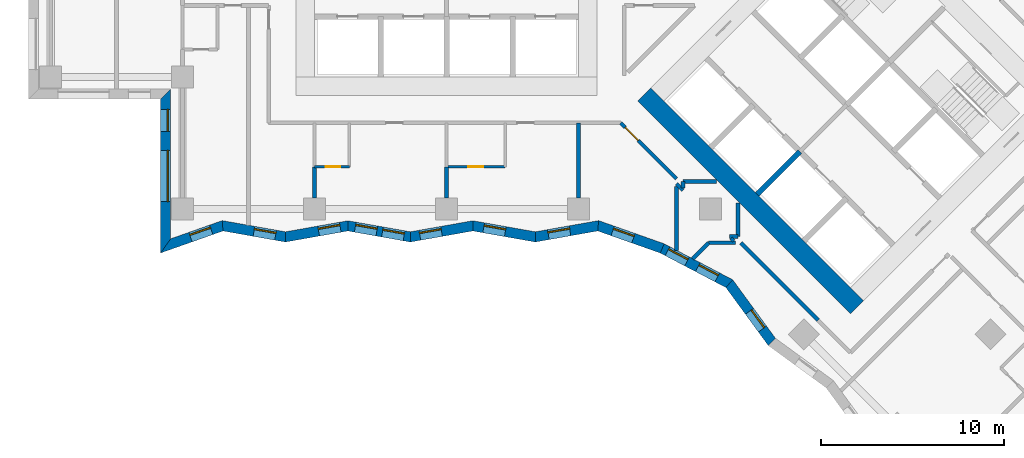
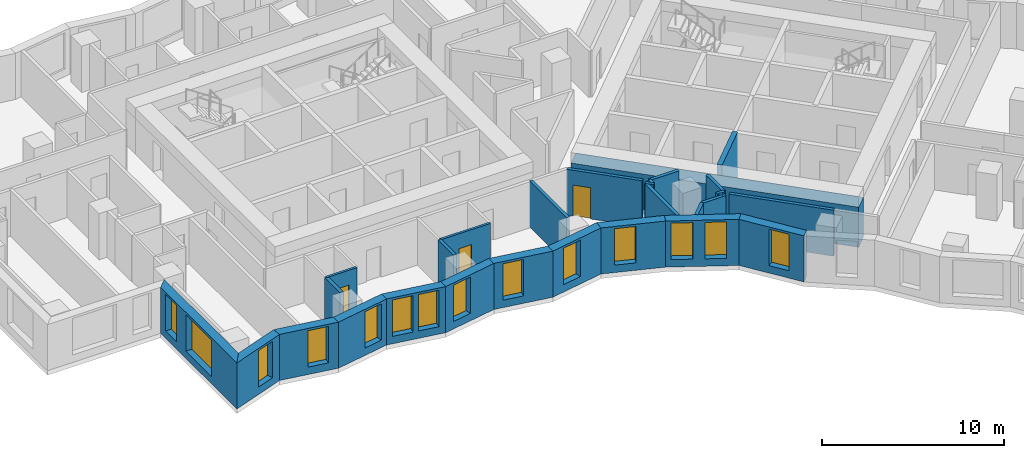
# One storey, part 2 of 12: 29 walls, 14 windows, 3 doors, 17 openings.
"""IFC4 building model written with IfcOpenShell, lengths in metres."""

from ifc_helpers import new_model, si_unit, direction, frame, frame_2d, origin, place, context, subcontext, project, spatial, polyline, rectangle, outline, extrude, material, layer, layer_set, type_object, element, fill, save


model = new_model("IFC4")

# Units and contexts
model_context = context("Model", 3, precision=1e-05, world=origin(), true_north=direction((0.0, 1.0)))
body_context = subcontext(model_context, "Body", "Model", "MODEL_VIEW")
ifc_project = project(units=[si_unit("LENGTHUNIT", "METRE"), si_unit("AREAUNIT", "SQUARE_METRE"), si_unit("VOLUMEUNIT", "CUBIC_METRE"), si_unit("PLANEANGLEUNIT", "RADIAN"), si_unit("MASSUNIT", "GRAM", prefix="KILO")], contexts=[model_context])

# Site, building, storey
site_placement = place(None, origin())
site = spatial("IfcSite", under=ifc_project, at=site_placement, CompositionType="ELEMENT")
building_placement = place(site_placement, origin())
building = spatial("IfcBuilding", under=site, at=building_placement, Name="Windrow Commons", CompositionType="ELEMENT")
storey_placement = place(building_placement, frame((0.0, 0.0, 61.0)))
storey = spatial("IfcBuildingStorey", under=building, at=storey_placement, Name="L16", CompositionType="ELEMENT", Elevation=61.0)

# Wall, openings, windows
ifc_material_1 = material(Name="Brick masonry, red clay brick", Category="masonry")
ifc_layer_1 = layer(ifc_material_1, 0.55)
ifc_layer_set_1 = layer_set([ifc_layer_1], Name="Brick facade wall 550")
wall_type_1 = type_object("IfcWallType", Name="Brick facade wall 550", PredefinedType="SOLIDWALL", material=ifc_layer_set_1)
wall_1_placement = place(storey_placement, frame((49.475, 49.475, 0.0), z_axis=(0.0, 0.0, 1.0), x_axis=(0.0, -1.0, 0.0)))
wall_1 = element("IfcWall", 1, at=wall_1_placement, inside=storey, type_object=wall_type_1, Name="Brick facade wall L16 45", PredefinedType="SOLIDWALL", context=body_context, shape_type="SweptSolid", body=[
    extrude(outline(polyline([(0.275, -0.275), (8.678, -0.275), (7.9005, 0.275), (-0.275, 0.275), (0.275, -0.275)])), origin(), (0.0, 0.0, 1.0), 3.1),
])
opening_1_placement = place(wall_1_placement, frame((3.075, 0.0, 0.5)))
opening_1 = element("IfcOpeningElement", 2, at=opening_1_placement, cuts=wall_1, Name="Opening W1T", PredefinedType="OPENING", context=body_context, shape_type="SweptSolid", body=[
    extrude(rectangle(XDim=2.8, YDim=2.45, at=frame_2d((1.4, 1.225))), frame((0.0, 0.285, 0.0), z_axis=(0.0, -1.0, 0.0), x_axis=(1.0, 0.0, 0.0)), (0.0, 0.0, 1.0), 0.57),
])
opening_2_placement = place(wall_1_placement, frame((0.8375, 0.0, 0.5)))
opening_2 = element("IfcOpeningElement", 3, at=opening_2_placement, cuts=wall_1, Name="Opening W7D", PredefinedType="OPENING", context=body_context, shape_type="SweptSolid", body=[
    extrude(rectangle(XDim=1.2, YDim=2.45, at=frame_2d((0.6, 1.225))), frame((0.0, 0.285, 0.0), z_axis=(0.0, -1.0, 0.0), x_axis=(1.0, 0.0, 0.0)), (0.0, 0.0, 1.0), 0.57),
])
ifc_material_2 = material(Name="Clear float glass in anodised aluminium frame", Category="aluminium")
window_type_1 = type_object("IfcWindowType", Name="Window W1T bedroom 2800x2450", PartitioningType="SINGLE_PANEL", PredefinedType="WINDOW", material=ifc_material_2)
window_1_placement = place(opening_1_placement, origin())
window_1 = element("IfcWindow", 4, at=window_1_placement, inside=storey, type_object=window_type_1, Name="Window L16 45.1", OverallHeight=2.45, OverallWidth=2.8, PartitioningType="SINGLE_PANEL", PredefinedType="WINDOW", context=body_context, shape_type="SweptSolid", body=[
    extrude(rectangle(XDim=2.8, YDim=2.45, at=frame_2d((1.4, 1.225))), frame((0.0, 0.155, 0.0), z_axis=(0.0, -1.0, 0.0), x_axis=(1.0, 0.0, 0.0)), (0.0, 0.0, 1.0), 0.06),
])
fill(opening_1, window_1)
ifc_material_3 = material(Name="Clear float glass in anodised aluminium frame", Category="aluminium")
window_type_2 = type_object("IfcWindowType", Name="Window W7 notch 1200x2450", PartitioningType="SINGLE_PANEL", PredefinedType="WINDOW", material=ifc_material_3)
window_2_placement = place(opening_2_placement, origin())
window_2 = element("IfcWindow", 5, at=window_2_placement, inside=storey, type_object=window_type_2, Name="Window L16 45.2", OverallHeight=2.45, OverallWidth=1.2, PartitioningType="SINGLE_PANEL", PredefinedType="WINDOW", context=body_context, shape_type="SweptSolid", body=[
    extrude(rectangle(XDim=1.2, YDim=2.45, at=frame_2d((0.6, 1.225))), frame((0.0, 0.155, 0.0), z_axis=(0.0, -1.0, 0.0), x_axis=(1.0, 0.0, 0.0)), (0.0, 0.0, 1.0), 0.06),
])
fill(opening_2, window_2)

# Wall, opening, window
wall_2_placement = place(storey_placement, frame((49.475, 41.1857, 0.0), z_axis=(0.0, 0.0, 1.0), x_axis=(0.9429483298, 0.3329391044, 0.0)))
wall_2 = element("IfcWall", 6, at=wall_2_placement, inside=storey, type_object=wall_type_1, Name="Brick facade wall L16 46", PredefinedType="SOLIDWALL", context=body_context, shape_type="SweptSolid", body=[
    extrude(outline(polyline([(-0.3887, -0.275), (3.2246, -0.275), (3.3693, 0.275), (0.3887, 0.275), (-0.3887, -0.275)])), origin(), (0.0, 0.0, 1.0), 3.1),
])
opening_3_placement = place(wall_2_placement, frame((1.439, 0.0, 0.5)))
opening_3 = element("IfcOpeningElement", 7, at=opening_3_placement, cuts=wall_2, Name="Opening W7D", PredefinedType="OPENING", context=body_context, shape_type="SweptSolid", body=[
    extrude(rectangle(XDim=1.2, YDim=2.45, at=frame_2d((0.6, 1.225))), frame((0.0, 0.285, 0.0), z_axis=(0.0, -1.0, 0.0), x_axis=(1.0, 0.0, 0.0)), (0.0, 0.0, 1.0), 0.57),
])
window_3_placement = place(opening_3_placement, origin())
window_3 = element("IfcWindow", 8, at=window_3_placement, inside=storey, type_object=window_type_2, Name="Window L16 46.1", OverallHeight=2.45, OverallWidth=1.2, PartitioningType="SINGLE_PANEL", PredefinedType="WINDOW", context=body_context, shape_type="SweptSolid", body=[
    extrude(rectangle(XDim=1.2, YDim=2.45, at=frame_2d((0.6, 1.225))), frame((0.0, 0.155, 0.0), z_axis=(0.0, -1.0, 0.0), x_axis=(1.0, 0.0, 0.0)), (0.0, 0.0, 1.0), 0.06),
])
fill(opening_3, window_3)

wall_3_placement = place(storey_placement, frame((52.5839, 42.2834, 0.0), z_axis=(0.0, 0.0, 1.0), x_axis=(0.9846990638, -0.1742634606, 0.0)))
wall_3 = element("IfcWall", 9, at=wall_3_placement, inside=storey, type_object=wall_type_1, Name="Brick facade wall L16 47", PredefinedType="SOLIDWALL", context=body_context, shape_type="SweptSolid", body=[
    extrude(outline(polyline([(0.0724, -0.275), (3.5325, -0.275), (3.4352, 0.275), (-0.0724, 0.275), (0.0724, -0.275)])), origin(), (0.0, 0.0, 1.0), 3.1),
])
opening_4_placement = place(wall_3_placement, frame((1.7367, 0.0, 0.5)))
opening_4 = element("IfcOpeningElement", 10, at=opening_4_placement, cuts=wall_3, Name="Opening W7D", PredefinedType="OPENING", context=body_context, shape_type="SweptSolid", body=[
    extrude(rectangle(XDim=1.2, YDim=2.45, at=frame_2d((0.6, 1.225))), frame((0.0, 0.285, 0.0), z_axis=(0.0, -1.0, 0.0), x_axis=(1.0, 0.0, 0.0)), (0.0, 0.0, 1.0), 0.57),
])
window_4_placement = place(opening_4_placement, origin())
window_4 = element("IfcWindow", 11, at=window_4_placement, inside=storey, type_object=window_type_2, Name="Window L16 47.1", OverallHeight=2.45, OverallWidth=1.2, PartitioningType="SINGLE_PANEL", PredefinedType="WINDOW", context=body_context, shape_type="SweptSolid", body=[
    extrude(rectangle(XDim=1.2, YDim=2.45, at=frame_2d((0.6, 1.225))), frame((0.0, 0.155, 0.0), z_axis=(0.0, -1.0, 0.0), x_axis=(1.0, 0.0, 0.0)), (0.0, 0.0, 1.0), 0.06),
])
fill(opening_4, window_4)

wall_4_placement = place(storey_placement, frame((56.0144, 41.6763, 0.0), z_axis=(0.0, 0.0, 1.0), x_axis=(0.9846979018, 0.1742700266, 0.0)))
wall_4 = element("IfcWall", 12, at=wall_4_placement, inside=storey, type_object=wall_type_1, Name="Brick facade wall L16 48", PredefinedType="SOLIDWALL", context=body_context, shape_type="SweptSolid", body=[
    extrude(outline(polyline([(-0.0487, -0.275), (3.4115, -0.275), (3.5088, 0.275), (0.0487, 0.275), (-0.0487, -0.275)])), origin(), (0.0, 0.0, 1.0), 3.1),
])
opening_5_placement = place(wall_4_placement, frame((1.8352, 0.0, 0.5)))
opening_5 = element("IfcOpeningElement", 13, at=opening_5_placement, cuts=wall_4, Name="Opening W7D", PredefinedType="OPENING", context=body_context, shape_type="SweptSolid", body=[
    extrude(rectangle(XDim=1.2, YDim=2.45, at=frame_2d((0.6, 1.225))), frame((0.0, 0.285, 0.0), z_axis=(0.0, -1.0, 0.0), x_axis=(1.0, 0.0, 0.0)), (0.0, 0.0, 1.0), 0.57),
])
window_5_placement = place(opening_5_placement, origin())
window_5 = element("IfcWindow", 14, at=window_5_placement, inside=storey, type_object=window_type_2, Name="Window L16 48.1", OverallHeight=2.45, OverallWidth=1.2, PartitioningType="SINGLE_PANEL", PredefinedType="WINDOW", context=body_context, shape_type="SweptSolid", body=[
    extrude(rectangle(XDim=1.2, YDim=2.45, at=frame_2d((0.6, 1.225))), frame((0.0, 0.155, 0.0), z_axis=(0.0, -1.0, 0.0), x_axis=(1.0, 0.0, 0.0)), (0.0, 0.0, 1.0), 0.06),
])
fill(opening_5, window_5)

# Wall, openings, windows
wall_5_placement = place(storey_placement, frame((59.4216, 42.2793, 0.0), z_axis=(0.0, 0.0, 1.0), x_axis=(0.9846979018, -0.1742700266, 0.0)))
wall_5 = element("IfcWall", 15, at=wall_5_placement, inside=storey, type_object=wall_type_1, Name="Brick facade wall L16 49", PredefinedType="SOLIDWALL", context=body_context, shape_type="SweptSolid", body=[
    extrude(outline(polyline([(0.0487, -0.275), (3.5088, -0.275), (3.4115, 0.275), (-0.0487, 0.275), (0.0487, -0.275)])), origin(), (0.0, 0.0, 1.0), 3.1),
])
opening_6_placement = place(wall_5_placement, frame((0.403, 0.0, 0.5)))
opening_6 = element("IfcOpeningElement", 16, at=opening_6_placement, cuts=wall_5, Name="Opening W7D", PredefinedType="OPENING", context=body_context, shape_type="SweptSolid", body=[
    extrude(rectangle(XDim=1.2, YDim=2.45, at=frame_2d((0.6, 1.225))), frame((0.0, 0.285, 0.0), z_axis=(0.0, -1.0, 0.0), x_axis=(1.0, 0.0, 0.0)), (0.0, 0.0, 1.0), 0.57),
])
opening_7_placement = place(wall_5_placement, frame((1.9088, 0.0, 0.5)))
opening_7 = element("IfcOpeningElement", 17, at=opening_7_placement, cuts=wall_5, Name="Opening W7D", PredefinedType="OPENING", context=body_context, shape_type="SweptSolid", body=[
    extrude(rectangle(XDim=1.2, YDim=2.45, at=frame_2d((0.6, 1.225))), frame((0.0, 0.285, 0.0), z_axis=(0.0, -1.0, 0.0), x_axis=(1.0, 0.0, 0.0)), (0.0, 0.0, 1.0), 0.57),
])
window_6_placement = place(opening_6_placement, origin())
window_6 = element("IfcWindow", 18, at=window_6_placement, inside=storey, type_object=window_type_2, Name="Window L16 49.1", OverallHeight=2.45, OverallWidth=1.2, PartitioningType="SINGLE_PANEL", PredefinedType="WINDOW", context=body_context, shape_type="SweptSolid", body=[
    extrude(rectangle(XDim=1.2, YDim=2.45, at=frame_2d((0.6, 1.225))), frame((0.0, 0.155, 0.0), z_axis=(0.0, -1.0, 0.0), x_axis=(1.0, 0.0, 0.0)), (0.0, 0.0, 1.0), 0.06),
])
fill(opening_6, window_6)
window_7_placement = place(opening_7_placement, origin())
window_7 = element("IfcWindow", 19, at=window_7_placement, inside=storey, type_object=window_type_2, Name="Window L16 49.2", OverallHeight=2.45, OverallWidth=1.2, PartitioningType="SINGLE_PANEL", PredefinedType="WINDOW", context=body_context, shape_type="SweptSolid", body=[
    extrude(rectangle(XDim=1.2, YDim=2.45, at=frame_2d((0.6, 1.225))), frame((0.0, 0.155, 0.0), z_axis=(0.0, -1.0, 0.0), x_axis=(1.0, 0.0, 0.0)), (0.0, 0.0, 1.0), 0.06),
])
fill(opening_7, window_7)

# Wall, opening, window
wall_6_placement = place(storey_placement, frame((62.8288, 41.6763, 0.0), z_axis=(0.0, 0.0, 1.0), x_axis=(0.9846979018, 0.1742700266, 0.0)))
wall_6 = element("IfcWall", 20, at=wall_6_placement, inside=storey, type_object=wall_type_1, Name="Brick facade wall L16 50", PredefinedType="SOLIDWALL", context=body_context, shape_type="SweptSolid", body=[
    extrude(outline(polyline([(-0.0487, -0.275), (3.4115, -0.275), (3.5088, 0.275), (0.0487, 0.275), (-0.0487, -0.275)])), origin(), (0.0, 0.0, 1.0), 3.1),
])
opening_8_placement = place(wall_6_placement, frame((0.5253, 0.0, 0.5)))
opening_8 = element("IfcOpeningElement", 21, at=opening_8_placement, cuts=wall_6, Name="Opening W7D", PredefinedType="OPENING", context=body_context, shape_type="SweptSolid", body=[
    extrude(rectangle(XDim=1.2, YDim=2.45, at=frame_2d((0.6, 1.225))), frame((0.0, 0.285, 0.0), z_axis=(0.0, -1.0, 0.0), x_axis=(1.0, 0.0, 0.0)), (0.0, 0.0, 1.0), 0.57),
])
window_8_placement = place(opening_8_placement, origin())
window_8 = element("IfcWindow", 22, at=window_8_placement, inside=storey, type_object=window_type_2, Name="Window L16 50.1", OverallHeight=2.45, OverallWidth=1.2, PartitioningType="SINGLE_PANEL", PredefinedType="WINDOW", context=body_context, shape_type="SweptSolid", body=[
    extrude(rectangle(XDim=1.2, YDim=2.45, at=frame_2d((0.6, 1.225))), frame((0.0, 0.155, 0.0), z_axis=(0.0, -1.0, 0.0), x_axis=(1.0, 0.0, 0.0)), (0.0, 0.0, 1.0), 0.06),
])
fill(opening_8, window_8)

wall_7_placement = place(storey_placement, frame((66.236, 42.2793, 0.0), z_axis=(0.0, 0.0, 1.0), x_axis=(0.9846979018, -0.1742700266, 0.0)))
wall_7 = element("IfcWall", 23, at=wall_7_placement, inside=storey, type_object=wall_type_1, Name="Brick facade wall L16 51", PredefinedType="SOLIDWALL", context=body_context, shape_type="SweptSolid", body=[
    extrude(outline(polyline([(0.0487, -0.275), (3.5088, -0.275), (3.4115, 0.275), (-0.0487, 0.275), (0.0487, -0.275)])), origin(), (0.0, 0.0, 1.0), 3.1),
])
opening_9_placement = place(wall_7_placement, frame((0.5988, 0.0, 0.5)))
opening_9 = element("IfcOpeningElement", 24, at=opening_9_placement, cuts=wall_7, Name="Opening W7D", PredefinedType="OPENING", context=body_context, shape_type="SweptSolid", body=[
    extrude(rectangle(XDim=1.2, YDim=2.45, at=frame_2d((0.6, 1.225))), frame((0.0, 0.285, 0.0), z_axis=(0.0, -1.0, 0.0), x_axis=(1.0, 0.0, 0.0)), (0.0, 0.0, 1.0), 0.57),
])
window_9_placement = place(opening_9_placement, origin())
window_9 = element("IfcWindow", 25, at=window_9_placement, inside=storey, type_object=window_type_2, Name="Window L16 51.1", OverallHeight=2.45, OverallWidth=1.2, PartitioningType="SINGLE_PANEL", PredefinedType="WINDOW", context=body_context, shape_type="SweptSolid", body=[
    extrude(rectangle(XDim=1.2, YDim=2.45, at=frame_2d((0.6, 1.225))), frame((0.0, 0.155, 0.0), z_axis=(0.0, -1.0, 0.0), x_axis=(1.0, 0.0, 0.0)), (0.0, 0.0, 1.0), 0.06),
])
fill(opening_9, window_9)

wall_8_placement = place(storey_placement, frame((69.6432, 41.6763, 0.0), z_axis=(0.0, 0.0, 1.0), x_axis=(0.9846990638, 0.1742634606, 0.0)))
wall_8 = element("IfcWall", 26, at=wall_8_placement, inside=storey, type_object=wall_type_1, Name="Brick facade wall L16 52", PredefinedType="SOLIDWALL", context=body_context, shape_type="SweptSolid", body=[
    extrude(outline(polyline([(-0.0487, -0.275), (3.4115, -0.275), (3.5562, 0.275), (0.0487, 0.275), (-0.0487, -0.275)])), origin(), (0.0, 0.0, 1.0), 3.1),
])
opening_10_placement = place(wall_8_placement, frame((0.721, 0.0, 0.5)))
opening_10 = element("IfcOpeningElement", 27, at=opening_10_placement, cuts=wall_8, Name="Opening W7D", PredefinedType="OPENING", context=body_context, shape_type="SweptSolid", body=[
    extrude(rectangle(XDim=1.2, YDim=2.45, at=frame_2d((0.6, 1.225))), frame((0.0, 0.285, 0.0), z_axis=(0.0, -1.0, 0.0), x_axis=(1.0, 0.0, 0.0)), (0.0, 0.0, 1.0), 0.57),
])
window_10_placement = place(opening_10_placement, origin())
window_10 = element("IfcWindow", 28, at=window_10_placement, inside=storey, type_object=window_type_2, Name="Window L16 52.1", OverallHeight=2.45, OverallWidth=1.2, PartitioningType="SINGLE_PANEL", PredefinedType="WINDOW", context=body_context, shape_type="SweptSolid", body=[
    extrude(rectangle(XDim=1.2, YDim=2.45, at=frame_2d((0.6, 1.225))), frame((0.0, 0.155, 0.0), z_axis=(0.0, -1.0, 0.0), x_axis=(1.0, 0.0, 0.0)), (0.0, 0.0, 1.0), 0.06),
])
fill(opening_10, window_10)

wall_9_placement = place(storey_placement, frame((73.0737, 42.2834, 0.0), z_axis=(0.0, 0.0, 1.0), x_axis=(0.9429519654, -0.3329288077, 0.0)))
wall_9 = element("IfcWall", 29, at=wall_9_placement, inside=storey, type_object=wall_type_1, Name="Brick facade wall L16 53", PredefinedType="SOLIDWALL", context=body_context, shape_type="SweptSolid", body=[
    extrude(outline(polyline([(0.0724, -0.275), (3.6857, -0.275), (3.7255, 0.275), (-0.0724, 0.275), (0.0724, -0.275)])), origin(), (0.0, 0.0, 1.0), 3.1),
])
opening_11_placement = place(wall_9_placement, frame((0.8396, 0.0, 0.5)))
opening_11 = element("IfcOpeningElement", 30, at=opening_11_placement, cuts=wall_9, Name="Opening W7D", PredefinedType="OPENING", context=body_context, shape_type="SweptSolid", body=[
    extrude(rectangle(XDim=1.2, YDim=2.45, at=frame_2d((0.6, 1.225))), frame((0.0, 0.285, 0.0), z_axis=(0.0, -1.0, 0.0), x_axis=(1.0, 0.0, 0.0)), (0.0, 0.0, 1.0), 0.57),
])
window_11_placement = place(opening_11_placement, origin())
window_11 = element("IfcWindow", 31, at=window_11_placement, inside=storey, type_object=window_type_2, Name="Window L16 53.1", OverallHeight=2.45, OverallWidth=1.2, PartitioningType="SINGLE_PANEL", PredefinedType="WINDOW", context=body_context, shape_type="SweptSolid", body=[
    extrude(rectangle(XDim=1.2, YDim=2.45, at=frame_2d((0.6, 1.225))), frame((0.0, 0.155, 0.0), z_axis=(0.0, -1.0, 0.0), x_axis=(1.0, 0.0, 0.0)), (0.0, 0.0, 1.0), 0.06),
])
fill(opening_11, window_11)

# Wall, openings, windows
wall_10_placement = place(storey_placement, frame((76.5679, 41.0497, 0.0), z_axis=(0.0, 0.0, 1.0), x_axis=(0.8852124117, -0.4651870444, 0.0)))
wall_10 = element("IfcWall", 32, at=wall_10_placement, inside=storey, type_object=wall_type_1, Name="Brick facade wall L16 54", PredefinedType="SOLIDWALL", context=body_context, shape_type="SweptSolid", body=[
    extrude(outline(polyline([(0.0199, -0.275), (4.0702, -0.275), (4.1979, 0.275), (-0.0199, 0.275), (0.0199, -0.275)])), origin(), (0.0, 0.0, 1.0), 3.1),
])
opening_12_placement = place(wall_10_placement, frame((0.3252, 0.0, 0.5)))
opening_12 = element("IfcOpeningElement", 33, at=opening_12_placement, cuts=wall_10, Name="Opening W7D", PredefinedType="OPENING", context=body_context, shape_type="SweptSolid", body=[
    extrude(rectangle(XDim=1.2, YDim=2.45, at=frame_2d((0.6, 1.225))), frame((0.0, 0.285, 0.0), z_axis=(0.0, -1.0, 0.0), x_axis=(1.0, 0.0, 0.0)), (0.0, 0.0, 1.0), 0.57),
])
opening_13_placement = place(wall_10_placement, frame((2.1923, 0.0, 0.5)))
opening_13 = element("IfcOpeningElement", 34, at=opening_13_placement, cuts=wall_10, Name="Opening W7D", PredefinedType="OPENING", context=body_context, shape_type="SweptSolid", body=[
    extrude(rectangle(XDim=1.2, YDim=2.45, at=frame_2d((0.6, 1.225))), frame((0.0, 0.285, 0.0), z_axis=(0.0, -1.0, 0.0), x_axis=(1.0, 0.0, 0.0)), (0.0, 0.0, 1.0), 0.57),
])
window_12_placement = place(opening_12_placement, origin())
window_12 = element("IfcWindow", 35, at=window_12_placement, inside=storey, type_object=window_type_2, Name="Window L16 54.1", OverallHeight=2.45, OverallWidth=1.2, PartitioningType="SINGLE_PANEL", PredefinedType="WINDOW", context=body_context, shape_type="SweptSolid", body=[
    extrude(rectangle(XDim=1.2, YDim=2.45, at=frame_2d((0.6, 1.225))), frame((0.0, 0.155, 0.0), z_axis=(0.0, -1.0, 0.0), x_axis=(1.0, 0.0, 0.0)), (0.0, 0.0, 1.0), 0.06),
])
fill(opening_12, window_12)
window_13_placement = place(opening_13_placement, origin())
window_13 = element("IfcWindow", 36, at=window_13_placement, inside=storey, type_object=window_type_2, Name="Window L16 54.2", OverallHeight=2.45, OverallWidth=1.2, PartitioningType="SINGLE_PANEL", PredefinedType="WINDOW", context=body_context, shape_type="SweptSolid", body=[
    extrude(rectangle(XDim=1.2, YDim=2.45, at=frame_2d((0.6, 1.225))), frame((0.0, 0.155, 0.0), z_axis=(0.0, -1.0, 0.0), x_axis=(1.0, 0.0, 0.0)), (0.0, 0.0, 1.0), 0.06),
])
fill(opening_13, window_13)

# Wall, opening, window
wall_11_placement = place(storey_placement, frame((80.2274, 39.1266, 0.0), z_axis=(0.0, 0.0, 1.0), x_axis=(0.5897540607, -0.8075829046, 0.0)))
wall_11 = element("IfcWall", 37, at=wall_11_placement, inside=storey, type_object=wall_type_1, Name="Brick facade wall L16 55", PredefinedType="SOLIDWALL", context=body_context, shape_type="SweptSolid", body=[
    extrude(outline(polyline([(0.0638, -0.275), (3.9781, -0.275), (3.8923, 0.275), (-0.0638, 0.275), (0.0638, -0.275)])), origin(), (0.0, 0.0, 1.0), 3.1),
])
opening_14_placement = place(wall_11_placement, frame((1.8678, 0.0, 0.5)))
opening_14 = element("IfcOpeningElement", 38, at=opening_14_placement, cuts=wall_11, Name="Opening W7D", PredefinedType="OPENING", context=body_context, shape_type="SweptSolid", body=[
    extrude(rectangle(XDim=1.2, YDim=2.45, at=frame_2d((0.6, 1.225))), frame((0.0, 0.285, 0.0), z_axis=(0.0, -1.0, 0.0), x_axis=(1.0, 0.0, 0.0)), (0.0, 0.0, 1.0), 0.57),
])
window_14_placement = place(opening_14_placement, origin())
window_14 = element("IfcWindow", 39, at=window_14_placement, inside=storey, type_object=window_type_2, Name="Window L16 55.1", OverallHeight=2.45, OverallWidth=1.2, PartitioningType="SINGLE_PANEL", PredefinedType="WINDOW", context=body_context, shape_type="SweptSolid", body=[
    extrude(rectangle(XDim=1.2, YDim=2.45, at=frame_2d((0.6, 1.225))), frame((0.0, 0.155, 0.0), z_axis=(0.0, -1.0, 0.0), x_axis=(1.0, 0.0, 0.0)), (0.0, 0.0, 1.0), 0.06),
])
fill(opening_14, window_14)

# Wall
ifc_material_4 = material(Name="Blockwork partition", Category="masonry")
ifc_layer_2 = layer(ifc_material_4, 0.2)
ifc_layer_set_2 = layer_set([ifc_layer_2], Name="IW-CORRIDOR-200")
wall_type_2 = type_object("IfcWallType", Name="IW-CORRIDOR-200", PredefinedType="PARTITIONING", material=ifc_layer_set_2)
wall_12_placement = place(storey_placement, frame((85.0698, 37.1418, 0.0), z_axis=(0.0, 0.0, 1.0), x_axis=(-0.7070899851, 0.7071235769, 0.0)))
element("IfcWall", 40, at=wall_12_placement, inside=storey, type_object=wall_type_2, Name="W-L16-W031", PredefinedType="PARTITIONING", context=body_context, shape_type="SweptSolid", body=[
    extrude(rectangle(XDim=5.9538, YDim=0.2, at=frame_2d((2.9769, 0.0))), origin(), (0.0, 0.0, 1.0), 3.1),
])

# Wall, opening, door
wall_13_placement = place(storey_placement, frame((74.3051, 47.8971, 0.0), z_axis=(0.0, 0.0, 1.0), x_axis=(0.7071067812, -0.7071067812, 0.0)))
wall_13 = element("IfcWall", 41, at=wall_13_placement, inside=storey, type_object=wall_type_2, Name="W-L16-W045", PredefinedType="PARTITIONING", context=body_context, shape_type="SweptSolid", body=[
    extrude(rectangle(XDim=4.302, YDim=0.2, at=frame_2d((2.151, 0.0))), origin(), (0.0, 0.0, 1.0), 3.1),
])
opening_15_placement = place(wall_13_placement, frame((0.3446, 0.0, 0.0)))
opening_15 = element("IfcOpeningElement", 42, at=opening_15_placement, cuts=wall_13, Name="Opening D310F", PredefinedType="OPENING", context=body_context, shape_type="SweptSolid", body=[
    extrude(rectangle(XDim=1.0, YDim=2.1, at=frame_2d((0.5, 1.05))), frame((0.0, 0.11, 0.0), z_axis=(0.0, -1.0, 0.0), x_axis=(1.0, 0.0, 0.0)), (0.0, 0.0, 1.0), 0.22),
])
ifc_material_5 = material(Name="Timber door leaf", Category="wood")
door_type_1 = type_object("IfcDoorType", Name="DT-AMENITY-1000", OperationType="SINGLE_SWING_LEFT", PredefinedType="DOOR", material=ifc_material_5)
door_1_placement = place(opening_15_placement, origin())
door_1 = element("IfcDoor", 43, at=door_1_placement, inside=storey, type_object=door_type_1, Name="D-L16-D033", OperationType="SINGLE_SWING_LEFT", OverallHeight=2.1, OverallWidth=1.0, PredefinedType="DOOR", context=body_context, shape_type="SweptSolid", body=[
    extrude(rectangle(XDim=1.0, YDim=2.1, at=frame_2d((0.5, 1.05))), frame((0.0, 0.025, 0.0), z_axis=(0.0, -1.0, 0.0), x_axis=(1.0, 0.0, 0.0)), (0.0, 0.0, 1.0), 0.05),
])
fill(opening_15, door_1)

# Walls
for number, where, z_axis, x_axis, name in (
    (44, (77.702, 44.7, 0.0), (0.0, 0.0, 1.0), (1.0, 0.0, 0.0), "W-L16-W128"),
    (45, (80.7, 41.702, 0.0), (0.0, 0.0, 1.0), (0.0, 1.0, 0.0), "W-L16-W129"),
):
    element("IfcWall", number, at=place(storey_placement, frame(where, z_axis=z_axis, x_axis=x_axis)), inside=storey, type_object=wall_type_2, Name=name, PredefinedType="PARTITIONING", context=body_context, shape_type="SweptSolid", body=[
        extrude(rectangle(XDim=1.814, YDim=0.2, at=frame_2d((0.907, 0.0))), origin(), (0.0, 0.0, 1.0), 3.1),
    ])
wall_14_placement = place(storey_placement, frame((77.3467, 44.5727, 0.0), z_axis=(0.0, 0.0, 1.0), x_axis=(0.7071067812, -0.7071067812, 0.0)))
element("IfcWall", 46, at=wall_14_placement, inside=storey, type_object=wall_type_2, Name="W-L16-W163", PredefinedType="PARTITIONING", context=body_context, shape_type="SweptSolid", body=[
    extrude(rectangle(XDim=0.495, YDim=0.2, at=frame_2d((0.2475, 0.0))), origin(), (0.0, 0.0, 1.0), 3.1),
])
wall_15_placement = place(storey_placement, frame((80.3146, 41.6048, 0.0), z_axis=(0.0, 0.0, 1.0), x_axis=(0.7071067812, -0.7071067812, 0.0)))
element("IfcWall", 47, at=wall_15_placement, inside=storey, type_object=wall_type_2, Name="W-L16-W164", PredefinedType="PARTITIONING", context=body_context, shape_type="SweptSolid", body=[
    extrude(rectangle(XDim=0.225, YDim=0.2, at=frame_2d((0.1125, 0.0))), origin(), (0.0, 0.0, 1.0), 3.1),
])
wall_16_placement = place(storey_placement, frame((77.7, 44.356, 0.0), z_axis=(0.0, 0.0, 1.0), x_axis=(0.0, 1.0, 0.0)))
element("IfcWall", 48, at=wall_16_placement, inside=storey, type_object=wall_type_2, Name="W-L16-W165", PredefinedType="PARTITIONING", context=body_context, shape_type="SweptSolid", body=[
    extrude(rectangle(XDim=0.344, YDim=0.2, at=frame_2d((0.172, 0.0))), origin(), (0.0, 0.0, 1.0), 3.1),
])
wall_17_placement = place(storey_placement, frame((80.226, 41.7, 0.0), z_axis=(0.0, 0.0, 1.0), x_axis=(1.0, 0.0, 0.0)))
element("IfcWall", 49, at=wall_17_placement, inside=storey, type_object=wall_type_2, Name="W-L16-W166", PredefinedType="PARTITIONING", context=body_context, shape_type="SweptSolid", body=[
    extrude(rectangle(XDim=0.474, YDim=0.2, at=frame_2d((0.237, 0.0))), origin(), (0.0, 0.0, 1.0), 3.1),
])

# Wall, opening, door
ifc_material_6 = material(Name="Blockwork partition", Category="masonry")
ifc_layer_3 = layer(ifc_material_6, 0.15)
ifc_layer_set_3 = layer_set([ifc_layer_3], Name="IW-ENSUITE-150")
wall_type_3 = type_object("IfcWallType", Name="IW-ENSUITE-150", PredefinedType="PARTITIONING", material=ifc_layer_set_3)
wall_18_placement = place(storey_placement, frame((64.8, 45.5, 0.0), z_axis=(0.0, 0.0, 1.0), x_axis=(1.0, 0.0, 0.0)))
wall_18 = element("IfcWall", 50, at=wall_18_placement, inside=storey, type_object=wall_type_3, Name="W-L16-W059", PredefinedType="PARTITIONING", context=body_context, shape_type="SweptSolid", body=[
    extrude(rectangle(XDim=3.2, YDim=0.15, at=frame_2d((1.6, 0.0))), origin(), (0.0, 0.0, 1.0), 3.1),
])
opening_16_placement = place(wall_18_placement, frame((1.1958, 0.0, 0.0)))
opening_16 = element("IfcOpeningElement", 51, at=opening_16_placement, cuts=wall_18, Name="Opening D208N", PredefinedType="OPENING", context=body_context, shape_type="SweptSolid", body=[
    extrude(rectangle(XDim=0.8, YDim=2.1, at=frame_2d((0.4, 1.05))), frame((0.0, 0.085, 0.0), z_axis=(0.0, -1.0, 0.0), x_axis=(1.0, 0.0, 0.0)), (0.0, 0.0, 1.0), 0.17),
])
ifc_material_7 = material(Name="Timber door leaf", Category="wood")
door_type_2 = type_object("IfcDoorType", Name="DT-ENSUITE-800", OperationType="SINGLE_SWING_LEFT", PredefinedType="DOOR", material=ifc_material_7)
door_2_placement = place(opening_16_placement, origin())
door_2 = element("IfcDoor", 52, at=door_2_placement, inside=storey, type_object=door_type_2, Name="D-L16-D032", OperationType="SINGLE_SWING_RIGHT", OverallHeight=2.1, OverallWidth=0.8, PredefinedType="DOOR", context=body_context, shape_type="SweptSolid", body=[
    extrude(rectangle(XDim=0.8, YDim=2.1, at=frame_2d((0.4, 1.05))), frame((0.0, 0.025, 0.0), z_axis=(0.0, -1.0, 0.0), x_axis=(1.0, 0.0, 0.0)), (0.0, 0.0, 1.0), 0.05),
])
fill(opening_16, door_2)

wall_19_placement = place(storey_placement, frame((57.6, 45.5, 0.0), z_axis=(0.0, 0.0, 1.0), x_axis=(1.0, 0.0, 0.0)))
wall_19 = element("IfcWall", 53, at=wall_19_placement, inside=storey, type_object=wall_type_3, Name="W-L16-W124", PredefinedType="PARTITIONING", context=body_context, shape_type="SweptSolid", body=[
    extrude(rectangle(XDim=1.9, YDim=0.15, at=frame_2d((0.95, 0.0))), origin(), (0.0, 0.0, 1.0), 3.1),
])
opening_17_placement = place(wall_19_placement, frame((0.6069, 0.0, 0.0)))
opening_17 = element("IfcOpeningElement", 54, at=opening_17_placement, cuts=wall_19, Name="Opening D208N", PredefinedType="OPENING", context=body_context, shape_type="SweptSolid", body=[
    extrude(rectangle(XDim=0.8, YDim=2.1, at=frame_2d((0.4, 1.05))), frame((0.0, 0.085, 0.0), z_axis=(0.0, -1.0, 0.0), x_axis=(1.0, 0.0, 0.0)), (0.0, 0.0, 1.0), 0.17),
])
door_3_placement = place(opening_17_placement, origin())
door_3 = element("IfcDoor", 55, at=door_3_placement, inside=storey, type_object=door_type_2, Name="D-L16-D030", OperationType="SINGLE_SWING_RIGHT", OverallHeight=2.1, OverallWidth=0.8, PredefinedType="DOOR", context=body_context, shape_type="SweptSolid", body=[
    extrude(rectangle(XDim=0.8, YDim=2.1, at=frame_2d((0.4, 1.05))), frame((0.0, 0.025, 0.0), z_axis=(0.0, -1.0, 0.0), x_axis=(1.0, 0.0, 0.0)), (0.0, 0.0, 1.0), 0.05),
])
fill(opening_17, door_3)

# Walls
ifc_material_8 = material(Name="Blockwork partition", Category="masonry")
ifc_layer_4 = layer(ifc_material_8, 0.2)
ifc_layer_set_4 = layer_set([ifc_layer_4], Name="IW-PARTY-200")
wall_type_4 = type_object("IfcWallType", Name="IW-PARTY-200", PredefinedType="PARTITIONING", material=ifc_layer_set_4)
wall_20_placement = place(storey_placement, frame((72.0, 43.8, 0.0), z_axis=(0.0, 0.0, 1.0), x_axis=(0.0, 1.0, 0.0)))
element("IfcWall", 56, at=wall_20_placement, inside=storey, type_object=wall_type_4, Name="W-L16-W047", PredefinedType="PARTITIONING", context=body_context, shape_type="SweptSolid", body=[
    extrude(rectangle(XDim=4.1, YDim=0.2, at=frame_2d((2.05, 0.0))), origin(), (0.0, 0.0, 1.0), 3.1),
])
wall_21_placement = place(storey_placement, frame((77.35, 40.9494, 0.0), z_axis=(0.0, 0.0, 1.0), x_axis=(0.0, 1.0, 0.0)))
element("IfcWall", 57, at=wall_21_placement, inside=storey, type_object=wall_type_4, Name="W-L16-W056", PredefinedType="PARTITIONING", context=body_context, shape_type="SweptSolid", body=[
    extrude(rectangle(XDim=3.4866, YDim=0.2, at=frame_2d((1.7433, 0.0))), origin(), (0.0, 0.0, 1.0), 3.1),
])
for number, where, z_axis, x_axis, name in (
    (58, (57.6, 43.8, 0.0), (0.0, 0.0, 1.0), (0.0, 1.0, 0.0), "W-L16-W136"),
    (59, (64.8, 43.8, 0.0), (0.0, 0.0, 1.0), (0.0, 1.0, 0.0), "W-L16-W138"),
):
    element("IfcWall", number, at=place(storey_placement, frame(where, z_axis=z_axis, x_axis=x_axis)), inside=storey, type_object=wall_type_4, Name=name, PredefinedType="PARTITIONING", context=body_context, shape_type="SweptSolid", body=[
        extrude(rectangle(XDim=1.7, YDim=0.2, at=frame_2d((0.85, 0.0))), origin(), (0.0, 0.0, 1.0), 3.1),
    ])
wall_22_placement = place(storey_placement, frame((79.098, 41.35, 0.0), z_axis=(0.0, 0.0, 1.0), x_axis=(1.0, 0.0, 0.0)))
element("IfcWall", 60, at=wall_22_placement, inside=storey, type_object=wall_type_4, Name="W-L16-W141", PredefinedType="PARTITIONING", context=body_context, shape_type="SweptSolid", body=[
    extrude(rectangle(XDim=1.478, YDim=0.2, at=frame_2d((0.739, 0.0))), origin(), (0.0, 0.0, 1.0), 3.1),
])
wall_23_placement = place(storey_placement, frame((78.2315, 40.4861, 0.0), z_axis=(0.0, 0.0, 1.0), x_axis=(0.7071067812, 0.7071067812, 0.0)))
element("IfcWall", 61, at=wall_23_placement, inside=storey, type_object=wall_type_4, Name="W-L16-W143", PredefinedType="PARTITIONING", context=body_context, shape_type="SweptSolid", body=[
    extrude(rectangle(XDim=1.2222, YDim=0.2, at=frame_2d((0.6111, 0.0))), origin(), (0.0, 0.0, 1.0), 3.1),
])
ifc_material_9 = material(Name="Concrete C60/75", Category="concrete")
ifc_layer_5 = layer(ifc_material_9, 1.0)
ifc_layer_set_5 = layer_set([ifc_layer_5], Name="RC CORE WALL 1000 C60/75")
wall_type_5 = type_object("IfcWallType", Name="RC CORE WALL 1000 C60/75", PredefinedType="SHEAR", material=ifc_layer_set_5)
wall_24_placement = place(storey_placement, frame((75.5938, 49.4433, -0.3), z_axis=(0.0, 0.0, 1.0), x_axis=(0.7071037324, -0.70710983, 0.0)))
element("IfcWall", 62, at=wall_24_placement, inside=storey, type_object=wall_type_5, Name="Core B wall outer-S", PredefinedType="SHEAR", context=body_context, shape_type="SweptSolid", body=[
    extrude(rectangle(XDim=16.4, YDim=1.0, at=frame_2d((8.2, 0.0))), origin(), (0.0, 0.0, 1.0), 2.7),
])
ifc_material_10 = material(Name="Concrete C60/75", Category="concrete")
ifc_layer_6 = layer(ifc_material_10, 0.3)
ifc_layer_set_6 = layer_set([ifc_layer_6], Name="RC SHAFT WALL 300 C60/75")
wall_type_6 = type_object("IfcWallType", Name="RC SHAFT WALL 300 C60/75", PredefinedType="SOLIDWALL", material=ifc_layer_set_6)
wall_25_placement = place(storey_placement, frame((81.7456, 43.9986, 0.0), z_axis=(0.0, 0.0, 1.0), x_axis=(0.7071067812, 0.7071067812, 0.0)))
element("IfcWall", 63, at=wall_25_placement, inside=storey, type_object=wall_type_6, Name="Core B wall shaft-S2", PredefinedType="SOLIDWALL", context=body_context, shape_type="SweptSolid", body=[
    extrude(rectangle(XDim=3.2999, YDim=0.3, at=frame_2d((1.65, 0.0))), origin(), (0.0, 0.0, 1.0), 3.1),
])

save(model, "model.ifc")
